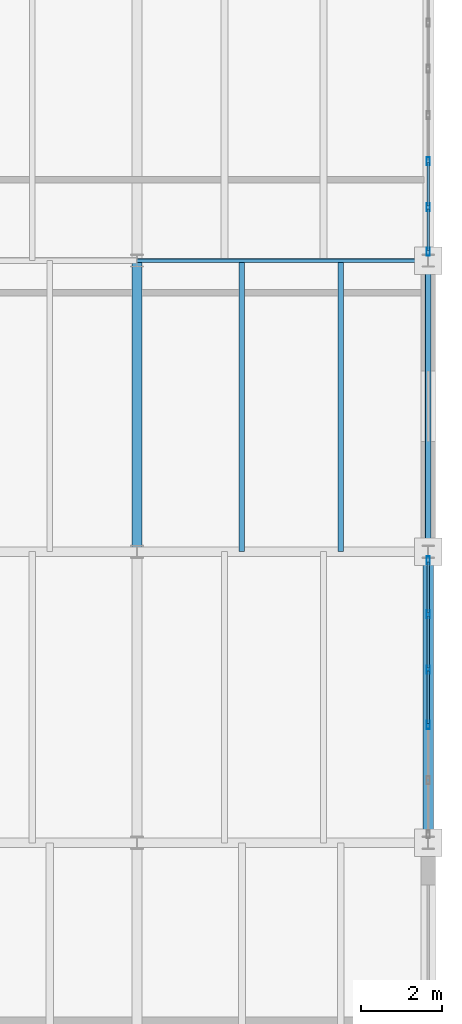
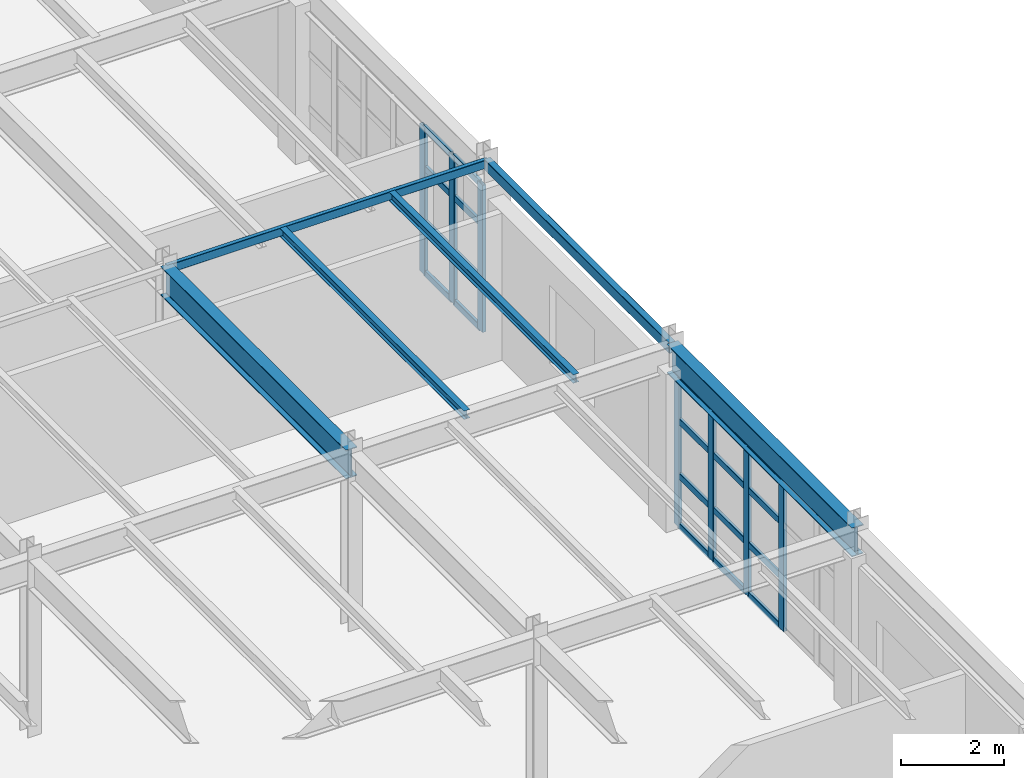
# One storey, part 97 of 137: 27 members, 6 beams, 2 elements without a shape of their own.
"""IFC4 building model written with IfcOpenShell, lengths in metres."""

from ifc_helpers import new_model, si_unit, direction, frame, origin, origin_2d, place, context, subcontext, project, spatial, hollow_rectangle, i_section, extrude, material, layer, layer_set, material_profile, profile_set, type_object, element, aggregate, save


model = new_model("IFC4")

# Units and contexts
model_context = context("Model", 3, precision=1e-05, world=origin(), true_north=direction((0.0, 1.0)))
body_context = subcontext(model_context, "Body", "Model", "MODEL_VIEW")
ifc_project = project(units=[si_unit("LENGTHUNIT", "METRE"), si_unit("AREAUNIT", "SQUARE_METRE"), si_unit("VOLUMEUNIT", "CUBIC_METRE"), si_unit("PLANEANGLEUNIT", "RADIAN"), si_unit("MASSUNIT", "GRAM", prefix="KILO")], contexts=[model_context])

# Site, building, storey
site_placement = place(None, origin())
site = spatial("IfcSite", under=ifc_project, at=site_placement, CompositionType="ELEMENT")
building_placement = place(site_placement, origin())
building = spatial("IfcBuilding", under=site, at=building_placement, Name="Kemerveld Promenade Tramway Depot", CompositionType="ELEMENT")
storey_placement = place(building_placement, frame((0.0, 0.0, 5.39990234375)))
storey = spatial("IfcBuildingStorey", under=building, at=storey_placement, Name="L01", CompositionType="ELEMENT", Elevation=5.39990234375)

# Beams
ifc_material_1 = material(Name="Steel S355", Category="steel")
ifc_material_profile_1 = material_profile(ifc_material_1, i_section(OverallWidth=0.25439453125, OverallDepth=0.6875, WebThickness=0.01318359375, FlangeThickness=0.02099609375, FilletRadius=0.01513671875, at=origin_2d()), Name="686x254x152 UB")
ifc_profile_set_1 = profile_set([ifc_material_profile_1], Name="Steel S355")
beam_type_1 = type_object("IfcBeamType", Name="BM-G03", PredefinedType="BEAM", material=ifc_profile_set_1)
beam_1_placement = place(storey_placement, frame((208.800048828125, 21.60009765625, 3.856201171875), z_axis=(0.0, 1.0, 0.0), x_axis=(-1.0, 0.0, 0.0)))
element("IfcBeam", 1, at=beam_1_placement, inside=storey, type_object=beam_type_1, Name="BMY-L01-30-D-E", PredefinedType="BEAM", context=body_context, shape_type="SweptSolid", body=[
    extrude(i_section(OverallWidth=0.25439453125, OverallDepth=0.6875, WebThickness=0.01318359375, FlangeThickness=0.02099609375, FilletRadius=0.01513671875, at=origin_2d()), origin(), (0.0, 0.0, 1.0), 7.199951171875),
])
beam_2_placement = place(storey_placement, frame((216.0, 14.39990234375, 3.856201171875), z_axis=(0.0, 1.0, 0.0), x_axis=(-1.0, 0.0, 0.0)))
element("IfcBeam", 2, at=beam_2_placement, inside=storey, type_object=beam_type_1, Name="BMY-L01-31-C-D", PredefinedType="BEAM", context=body_context, shape_type="SweptSolid", body=[
    extrude(i_section(OverallWidth=0.25439453125, OverallDepth=0.6875, WebThickness=0.01318359375, FlangeThickness=0.02099609375, FilletRadius=0.01513671875, at=origin_2d()), origin(), (0.0, 0.0, 1.0), 7.2001953125),
])
ifc_material_profile_2 = material_profile(ifc_material_1, i_section(OverallWidth=0.13330078125, OverallDepth=0.203125, WebThickness=0.005615234375, FlangeThickness=0.0078125, FilletRadius=0.007568359375, at=origin_2d()), Name="203x133x25 UB")
ifc_profile_set_2 = profile_set([ifc_material_profile_2], Name="Steel S355")
beam_type_2 = type_object("IfcBeamType", Name="BM-J03", PredefinedType="JOIST", material=ifc_profile_set_2)
for number, where, z_axis, x_axis, name in (
    (3, (211.39208984375, 21.60009765625, 4.098388671875), (0.0, 1.0, 0.0), (-1.0, 0.0, 0.0), "JST-L01-30-D-1"),
    (4, (213.840087890625, 21.60009765625, 4.098388671875), (0.0, 1.0, 0.0), (-1.0, 0.0, 0.0), "JST-L01-30-D-2"),
):
    element("IfcBeam", number, at=place(storey_placement, frame(where, z_axis=z_axis, x_axis=x_axis)), inside=storey, type_object=beam_type_2, Name=name, PredefinedType="JOIST", context=body_context, shape_type="SweptSolid", body=[
        extrude(i_section(OverallWidth=0.13330078125, OverallDepth=0.203125, WebThickness=0.005615234375, FlangeThickness=0.0078125, FilletRadius=0.007568359375, at=origin_2d()), origin(), (0.0, 0.0, 1.0), 7.199951171875),
    ])
ifc_material_profile_3 = material_profile(ifc_material_1, hollow_rectangle(XDim=0.10009765625, YDim=0.199951171875, WallThickness=0.008056640625, InnerFilletRadius=0.00390625, OuterFilletRadius=0.011962890625, at=origin_2d()), Name="200x100x8.0 RHS")
ifc_profile_set_3 = profile_set([ifc_material_profile_3], Name="Steel S355")
beam_type_3 = type_object("IfcBeamType", Name="BM-LN1", PredefinedType="LINTEL", material=ifc_profile_set_3)
beam_3_placement = place(storey_placement, frame((208.800048828125, 28.800048828125, 4.10009765625), z_axis=(1.0, 0.0, 0.0), x_axis=(0.0, 1.0, 0.0)))
element("IfcBeam", 5, at=beam_3_placement, inside=storey, type_object=beam_type_3, Name="BMX-L01-30-31-E", PredefinedType="LINTEL", context=body_context, shape_type="SweptSolid", body=[
    extrude(hollow_rectangle(XDim=0.10009765625, YDim=0.199951171875, WallThickness=0.008056640625, InnerFilletRadius=0.00390625, OuterFilletRadius=0.011962890625, at=origin_2d()), origin(), (0.0, 0.0, 1.0), 7.199951171875),
])
ifc_material_profile_4 = material_profile(ifc_material_1, hollow_rectangle(XDim=0.14990234375, YDim=0.25, WallThickness=0.010009765625, InnerFilletRadius=0.0048828125, OuterFilletRadius=0.014892578125, at=origin_2d()), Name="250x150x10.0 RHS")
ifc_profile_set_4 = profile_set([ifc_material_profile_4], Name="Steel S355")
beam_type_4 = type_object("IfcBeamType", Name="BM-SP2", PredefinedType="SPANDREL", material=ifc_profile_set_4)
beam_4_placement = place(storey_placement, frame((216.0, 21.60009765625, 4.0751953125), z_axis=(0.0, 1.0, 0.0), x_axis=(-1.0, 0.0, 0.0)))
element("IfcBeam", 6, at=beam_4_placement, inside=storey, type_object=beam_type_4, Name="BMY-L01-31-D-E", PredefinedType="SPANDREL", context=body_context, shape_type="SweptSolid", body=[
    extrude(hollow_rectangle(XDim=0.14990234375, YDim=0.25, WallThickness=0.010009765625, InnerFilletRadius=0.0048828125, OuterFilletRadius=0.014892578125, at=origin_2d()), origin(), (0.0, 0.0, 1.0), 7.199951171875),
])

# Curtain wall, members
ifc_material_2 = material(Name="Bronze anodised aluminium and solar glass", Category="aluminium")
ifc_layer_1 = layer(ifc_material_2, 0.199951171875)
ifc_layer_set_1 = layer_set([ifc_layer_1], Name="CW-SYS-06")
curtain_wall_type_1 = type_object("IfcCurtainWallType", Name="CW-SYS-06", PredefinedType="USERDEFINED", material=ifc_layer_set_1)
curtain_wall_1_placement = place(storey_placement, origin())
curtain_wall_1 = element("IfcCurtainWall", 7, at=curtain_wall_1_placement, inside=storey, type_object=curtain_wall_type_1, Name="CW-L01-V2E-03", ObjectType="GLAZED_CURTAIN_WALL", PredefinedType="USERDEFINED")
ifc_material_3 = material(Name="Bronze anodised aluminium", Category="aluminium")
ifc_material_profile_5 = material_profile(ifc_material_3, hollow_rectangle(XDim=0.074951171875, YDim=0.199951171875, WallThickness=0.0048828125, InnerFilletRadius=0.001953125, OuterFilletRadius=0.0048828125, at=origin_2d()), Name="CW-MUL-200x75")
ifc_profile_set_5 = profile_set([ifc_material_profile_5], Name="Bronze anodised aluminium")
member_type_1 = type_object("IfcMemberType", Name="CW-MUL-B", PredefinedType="MULLION", material=ifc_profile_set_5)
member_1_placement = place(storey_placement, frame((216.0, 31.259033203125, 0.0), z_axis=(0.0, 0.0, 1.0), x_axis=(1.0, 0.0, 0.0)))
member_1 = element("IfcMember", 8, at=member_1_placement, type_object=member_type_1, Name="CW06 mullion 5", PredefinedType="MULLION", context=body_context, shape_type="SweptSolid", body=[
    extrude(hollow_rectangle(XDim=0.074951171875, YDim=0.199951171875, WallThickness=0.0048828125, InnerFilletRadius=0.001953125, OuterFilletRadius=0.0048828125, at=origin_2d()), origin(), (0.0, 0.0, 1.0), 3.49267578125),
])
member_2_placement = place(storey_placement, frame((216.0, 30.1181640625, 0.0), z_axis=(0.0, 0.0, 1.0), x_axis=(1.0, 0.0, 0.0)))
member_2 = element("IfcMember", 9, at=member_2_placement, type_object=member_type_1, Name="CW06 mullion 6", PredefinedType="MULLION", context=body_context, shape_type="SweptSolid", body=[
    extrude(hollow_rectangle(XDim=0.074951171875, YDim=0.199951171875, WallThickness=0.0048828125, InnerFilletRadius=0.001953125, OuterFilletRadius=0.0048828125, at=origin_2d()), origin(), (0.0, 0.0, 1.0), 3.49267578125),
])
member_3_placement = place(storey_placement, frame((216.0, 29.014892578125, 0.0), z_axis=(0.0, 0.0, 1.0), x_axis=(1.0, 0.0, 0.0)))
member_3 = element("IfcMember", 10, at=member_3_placement, type_object=member_type_1, Name="CW06 mullion 7", PredefinedType="MULLION", context=body_context, shape_type="SweptSolid", body=[
    extrude(hollow_rectangle(XDim=0.074951171875, YDim=0.199951171875, WallThickness=0.0048828125, InnerFilletRadius=0.001953125, OuterFilletRadius=0.0048828125, at=origin_2d()), origin(), (0.0, 0.0, 1.0), 3.49267578125),
])

ifc_layer_2 = layer(ifc_material_2, 0.199951171875)
ifc_layer_set_2 = layer_set([ifc_layer_2], Name="CW-SYS-08")
curtain_wall_type_2 = type_object("IfcCurtainWallType", Name="CW-SYS-08", PredefinedType="USERDEFINED", material=ifc_layer_set_2)
curtain_wall_2_placement = place(storey_placement, origin())
curtain_wall_2 = element("IfcCurtainWall", 11, at=curtain_wall_2_placement, inside=storey, type_object=curtain_wall_type_2, Name="CW-L01-V2E-05", ObjectType="GLAZED_CURTAIN_WALL", PredefinedType="USERDEFINED")
member_4_placement = place(storey_placement, frame((216.0, 21.38525390625, 0.0), z_axis=(0.0, 0.0, 1.0), x_axis=(1.0, 0.0, 0.0)))
member_4 = element("IfcMember", 12, at=member_4_placement, type_object=member_type_1, Name="CW08 mullion 1", PredefinedType="MULLION", context=body_context, shape_type="SweptSolid", body=[
    extrude(hollow_rectangle(XDim=0.074951171875, YDim=0.199951171875, WallThickness=0.0048828125, InnerFilletRadius=0.001953125, OuterFilletRadius=0.0048828125, at=origin_2d()), origin(), (0.0, 0.0, 1.0), 3.49267578125),
])
member_5_placement = place(storey_placement, frame((216.0, 20.0537109375, 0.0), z_axis=(0.0, 0.0, 1.0), x_axis=(1.0, 0.0, 0.0)))
member_5 = element("IfcMember", 13, at=member_5_placement, type_object=member_type_1, Name="CW08 mullion 2", PredefinedType="MULLION", context=body_context, shape_type="SweptSolid", body=[
    extrude(hollow_rectangle(XDim=0.074951171875, YDim=0.199951171875, WallThickness=0.0048828125, InnerFilletRadius=0.001953125, OuterFilletRadius=0.0048828125, at=origin_2d()), origin(), (0.0, 0.0, 1.0), 3.49267578125),
])
member_6_placement = place(storey_placement, frame((216.0, 18.6845703125, 0.0), z_axis=(0.0, 0.0, 1.0), x_axis=(1.0, 0.0, 0.0)))
member_6 = element("IfcMember", 14, at=member_6_placement, type_object=member_type_1, Name="CW08 mullion 3", PredefinedType="MULLION", context=body_context, shape_type="SweptSolid", body=[
    extrude(hollow_rectangle(XDim=0.074951171875, YDim=0.199951171875, WallThickness=0.0048828125, InnerFilletRadius=0.001953125, OuterFilletRadius=0.0048828125, at=origin_2d()), origin(), (0.0, 0.0, 1.0), 3.49267578125),
])
member_7_placement = place(storey_placement, frame((216.0, 17.3154296875, 0.0), z_axis=(0.0, 0.0, 1.0), x_axis=(1.0, 0.0, 0.0)))
member_7 = element("IfcMember", 15, at=member_7_placement, type_object=member_type_1, Name="CW08 mullion 4", PredefinedType="MULLION", context=body_context, shape_type="SweptSolid", body=[
    extrude(hollow_rectangle(XDim=0.074951171875, YDim=0.199951171875, WallThickness=0.0048828125, InnerFilletRadius=0.001953125, OuterFilletRadius=0.0048828125, at=origin_2d()), origin(), (0.0, 0.0, 1.0), 3.49267578125),
])

# Member
ifc_material_profile_6 = material_profile(ifc_material_3, hollow_rectangle(XDim=0.06494140625, YDim=0.14990234375, WallThickness=0.00439453125, InnerFilletRadius=0.001953125, OuterFilletRadius=0.00439453125, at=origin_2d()), Name="CW-TRN-150x65")
ifc_profile_set_6 = profile_set([ifc_material_profile_6], Name="Bronze anodised aluminium")
member_type_2 = type_object("IfcMemberType", Name="CW-TRN-B", PredefinedType="USERDEFINED", material=ifc_profile_set_6)
member_8_placement = place(storey_placement, frame((216.0, 31.2216796875, 0.03271484375), z_axis=(0.0, -1.0, 0.0), x_axis=(1.0, 0.0, 0.0)))
member_8 = element("IfcMember", 16, at=member_8_placement, type_object=member_type_2, Name="CW06 transom 5.1", ObjectType="TRANSOM", PredefinedType="USERDEFINED", context=body_context, shape_type="SweptSolid", body=[
    extrude(hollow_rectangle(XDim=0.06494140625, YDim=0.14990234375, WallThickness=0.00439453125, InnerFilletRadius=0.001953125, OuterFilletRadius=0.00439453125, at=origin_2d()), origin(), (0.0, 0.0, 1.0), 1.06591796875),
])

member_9_placement = place(storey_placement, frame((216.0, 31.2216796875, 1.22216796875), z_axis=(0.0, -1.0, 0.0), x_axis=(1.0, 0.0, 0.0)))
member_9 = element("IfcMember", 17, at=member_9_placement, type_object=member_type_2, Name="CW06 transom 5.2", ObjectType="TRANSOM", PredefinedType="USERDEFINED", context=body_context, shape_type="SweptSolid", body=[
    extrude(hollow_rectangle(XDim=0.06494140625, YDim=0.14990234375, WallThickness=0.00439453125, InnerFilletRadius=0.001953125, OuterFilletRadius=0.00439453125, at=origin_2d()), origin(), (0.0, 0.0, 1.0), 1.06591796875),
])

member_10_placement = place(storey_placement, frame((216.0, 31.2216796875, 2.51513671875), z_axis=(0.0, -1.0, 0.0), x_axis=(1.0, 0.0, 0.0)))
member_10 = element("IfcMember", 18, at=member_10_placement, type_object=member_type_2, Name="CW06 transom 5.3", ObjectType="TRANSOM", PredefinedType="USERDEFINED", context=body_context, shape_type="SweptSolid", body=[
    extrude(hollow_rectangle(XDim=0.06494140625, YDim=0.14990234375, WallThickness=0.00439453125, InnerFilletRadius=0.001953125, OuterFilletRadius=0.00439453125, at=origin_2d()), origin(), (0.0, 0.0, 1.0), 1.06591796875),
])

member_11_placement = place(storey_placement, frame((216.0, 31.2216796875, 3.460205078125), z_axis=(0.0, -1.0, 0.0), x_axis=(1.0, 0.0, 0.0)))
member_11 = element("IfcMember", 19, at=member_11_placement, type_object=member_type_2, Name="CW06 transom 5.4", ObjectType="TRANSOM", PredefinedType="USERDEFINED", context=body_context, shape_type="SweptSolid", body=[
    extrude(hollow_rectangle(XDim=0.06494140625, YDim=0.14990234375, WallThickness=0.00439453125, InnerFilletRadius=0.001953125, OuterFilletRadius=0.00439453125, at=origin_2d()), origin(), (0.0, 0.0, 1.0), 1.06591796875),
])

member_12_placement = place(storey_placement, frame((216.0, 30.080810546875, 0.03271484375), z_axis=(0.0, -1.0, 0.0), x_axis=(1.0, 0.0, 0.0)))
member_12 = element("IfcMember", 20, at=member_12_placement, type_object=member_type_2, Name="CW06 transom 6.1", ObjectType="TRANSOM", PredefinedType="USERDEFINED", context=body_context, shape_type="SweptSolid", body=[
    extrude(hollow_rectangle(XDim=0.06494140625, YDim=0.14990234375, WallThickness=0.00439453125, InnerFilletRadius=0.001953125, OuterFilletRadius=0.00439453125, at=origin_2d()), origin(), (0.0, 0.0, 1.0), 1.028564453125),
])

member_13_placement = place(storey_placement, frame((216.0, 30.080810546875, 1.22216796875), z_axis=(0.0, -1.0, 0.0), x_axis=(1.0, 0.0, 0.0)))
member_13 = element("IfcMember", 21, at=member_13_placement, type_object=member_type_2, Name="CW06 transom 6.2", ObjectType="TRANSOM", PredefinedType="USERDEFINED", context=body_context, shape_type="SweptSolid", body=[
    extrude(hollow_rectangle(XDim=0.06494140625, YDim=0.14990234375, WallThickness=0.00439453125, InnerFilletRadius=0.001953125, OuterFilletRadius=0.00439453125, at=origin_2d()), origin(), (0.0, 0.0, 1.0), 1.028564453125),
])

member_14_placement = place(storey_placement, frame((216.0, 30.080810546875, 2.51513671875), z_axis=(0.0, -1.0, 0.0), x_axis=(1.0, 0.0, 0.0)))
member_14 = element("IfcMember", 22, at=member_14_placement, type_object=member_type_2, Name="CW06 transom 6.3", ObjectType="TRANSOM", PredefinedType="USERDEFINED", context=body_context, shape_type="SweptSolid", body=[
    extrude(hollow_rectangle(XDim=0.06494140625, YDim=0.14990234375, WallThickness=0.00439453125, InnerFilletRadius=0.001953125, OuterFilletRadius=0.00439453125, at=origin_2d()), origin(), (0.0, 0.0, 1.0), 1.028564453125),
])

member_15_placement = place(storey_placement, frame((216.0, 30.080810546875, 3.460205078125), z_axis=(0.0, -1.0, 0.0), x_axis=(1.0, 0.0, 0.0)))
member_15 = element("IfcMember", 23, at=member_15_placement, type_object=member_type_2, Name="CW06 transom 6.4", ObjectType="TRANSOM", PredefinedType="USERDEFINED", context=body_context, shape_type="SweptSolid", body=[
    extrude(hollow_rectangle(XDim=0.06494140625, YDim=0.14990234375, WallThickness=0.00439453125, InnerFilletRadius=0.001953125, OuterFilletRadius=0.00439453125, at=origin_2d()), origin(), (0.0, 0.0, 1.0), 1.028564453125),
])

aggregate(curtain_wall_1, [member_1, member_2, member_3, member_8, member_9, member_10, member_11, member_12, member_13, member_14, member_15])

member_16_placement = place(storey_placement, frame((216.0, 21.347900390625, 0.03271484375), z_axis=(0.0, -1.0, 0.0), x_axis=(1.0, 0.0, 0.0)))
member_16 = element("IfcMember", 24, at=member_16_placement, type_object=member_type_2, Name="CW08 transom 1.1", ObjectType="TRANSOM", PredefinedType="USERDEFINED", context=body_context, shape_type="SweptSolid", body=[
    extrude(hollow_rectangle(XDim=0.06494140625, YDim=0.14990234375, WallThickness=0.00439453125, InnerFilletRadius=0.001953125, OuterFilletRadius=0.00439453125, at=origin_2d()), origin(), (0.0, 0.0, 1.0), 1.256591796875),
])

member_17_placement = place(storey_placement, frame((216.0, 21.347900390625, 1.22216796875), z_axis=(0.0, -1.0, 0.0), x_axis=(1.0, 0.0, 0.0)))
member_17 = element("IfcMember", 25, at=member_17_placement, type_object=member_type_2, Name="CW08 transom 1.2", ObjectType="TRANSOM", PredefinedType="USERDEFINED", context=body_context, shape_type="SweptSolid", body=[
    extrude(hollow_rectangle(XDim=0.06494140625, YDim=0.14990234375, WallThickness=0.00439453125, InnerFilletRadius=0.001953125, OuterFilletRadius=0.00439453125, at=origin_2d()), origin(), (0.0, 0.0, 1.0), 1.256591796875),
])

member_18_placement = place(storey_placement, frame((216.0, 21.347900390625, 2.51513671875), z_axis=(0.0, -1.0, 0.0), x_axis=(1.0, 0.0, 0.0)))
member_18 = element("IfcMember", 26, at=member_18_placement, type_object=member_type_2, Name="CW08 transom 1.3", ObjectType="TRANSOM", PredefinedType="USERDEFINED", context=body_context, shape_type="SweptSolid", body=[
    extrude(hollow_rectangle(XDim=0.06494140625, YDim=0.14990234375, WallThickness=0.00439453125, InnerFilletRadius=0.001953125, OuterFilletRadius=0.00439453125, at=origin_2d()), origin(), (0.0, 0.0, 1.0), 1.256591796875),
])

member_19_placement = place(storey_placement, frame((216.0, 21.347900390625, 3.460205078125), z_axis=(0.0, -1.0, 0.0), x_axis=(1.0, 0.0, 0.0)))
member_19 = element("IfcMember", 27, at=member_19_placement, type_object=member_type_2, Name="CW08 transom 1.4", ObjectType="TRANSOM", PredefinedType="USERDEFINED", context=body_context, shape_type="SweptSolid", body=[
    extrude(hollow_rectangle(XDim=0.06494140625, YDim=0.14990234375, WallThickness=0.00439453125, InnerFilletRadius=0.001953125, OuterFilletRadius=0.00439453125, at=origin_2d()), origin(), (0.0, 0.0, 1.0), 1.256591796875),
])

member_20_placement = place(storey_placement, frame((216.0, 20.01611328125, 0.03271484375), z_axis=(0.0, -1.0, 0.0), x_axis=(1.0, 0.0, 0.0)))
member_20 = element("IfcMember", 28, at=member_20_placement, type_object=member_type_2, Name="CW08 transom 2.1", ObjectType="TRANSOM", PredefinedType="USERDEFINED", context=body_context, shape_type="SweptSolid", body=[
    extrude(hollow_rectangle(XDim=0.06494140625, YDim=0.14990234375, WallThickness=0.00439453125, InnerFilletRadius=0.001953125, OuterFilletRadius=0.00439453125, at=origin_2d()), origin(), (0.0, 0.0, 1.0), 1.2939453125),
])

member_21_placement = place(storey_placement, frame((216.0, 20.01611328125, 1.22216796875), z_axis=(0.0, -1.0, 0.0), x_axis=(1.0, 0.0, 0.0)))
member_21 = element("IfcMember", 29, at=member_21_placement, type_object=member_type_2, Name="CW08 transom 2.2", ObjectType="TRANSOM", PredefinedType="USERDEFINED", context=body_context, shape_type="SweptSolid", body=[
    extrude(hollow_rectangle(XDim=0.06494140625, YDim=0.14990234375, WallThickness=0.00439453125, InnerFilletRadius=0.001953125, OuterFilletRadius=0.00439453125, at=origin_2d()), origin(), (0.0, 0.0, 1.0), 1.2939453125),
])

member_22_placement = place(storey_placement, frame((216.0, 20.01611328125, 2.51513671875), z_axis=(0.0, -1.0, 0.0), x_axis=(1.0, 0.0, 0.0)))
member_22 = element("IfcMember", 30, at=member_22_placement, type_object=member_type_2, Name="CW08 transom 2.3", ObjectType="TRANSOM", PredefinedType="USERDEFINED", context=body_context, shape_type="SweptSolid", body=[
    extrude(hollow_rectangle(XDim=0.06494140625, YDim=0.14990234375, WallThickness=0.00439453125, InnerFilletRadius=0.001953125, OuterFilletRadius=0.00439453125, at=origin_2d()), origin(), (0.0, 0.0, 1.0), 1.2939453125),
])

member_23_placement = place(storey_placement, frame((216.0, 20.01611328125, 3.460205078125), z_axis=(0.0, -1.0, 0.0), x_axis=(1.0, 0.0, 0.0)))
member_23 = element("IfcMember", 31, at=member_23_placement, type_object=member_type_2, Name="CW08 transom 2.4", ObjectType="TRANSOM", PredefinedType="USERDEFINED", context=body_context, shape_type="SweptSolid", body=[
    extrude(hollow_rectangle(XDim=0.06494140625, YDim=0.14990234375, WallThickness=0.00439453125, InnerFilletRadius=0.001953125, OuterFilletRadius=0.00439453125, at=origin_2d()), origin(), (0.0, 0.0, 1.0), 1.2939453125),
])

member_24_placement = place(storey_placement, frame((216.0, 18.647216796875, 0.03271484375), z_axis=(0.0, -1.0, 0.0), x_axis=(1.0, 0.0, 0.0)))
member_24 = element("IfcMember", 32, at=member_24_placement, type_object=member_type_2, Name="CW08 transom 3.1", ObjectType="TRANSOM", PredefinedType="USERDEFINED", context=body_context, shape_type="SweptSolid", body=[
    extrude(hollow_rectangle(XDim=0.06494140625, YDim=0.14990234375, WallThickness=0.00439453125, InnerFilletRadius=0.001953125, OuterFilletRadius=0.00439453125, at=origin_2d()), origin(), (0.0, 0.0, 1.0), 1.294189453125),
])

member_25_placement = place(storey_placement, frame((216.0, 18.647216796875, 1.22216796875), z_axis=(0.0, -1.0, 0.0), x_axis=(1.0, 0.0, 0.0)))
member_25 = element("IfcMember", 33, at=member_25_placement, type_object=member_type_2, Name="CW08 transom 3.2", ObjectType="TRANSOM", PredefinedType="USERDEFINED", context=body_context, shape_type="SweptSolid", body=[
    extrude(hollow_rectangle(XDim=0.06494140625, YDim=0.14990234375, WallThickness=0.00439453125, InnerFilletRadius=0.001953125, OuterFilletRadius=0.00439453125, at=origin_2d()), origin(), (0.0, 0.0, 1.0), 1.294189453125),
])

member_26_placement = place(storey_placement, frame((216.0, 18.647216796875, 2.51513671875), z_axis=(0.0, -1.0, 0.0), x_axis=(1.0, 0.0, 0.0)))
member_26 = element("IfcMember", 34, at=member_26_placement, type_object=member_type_2, Name="CW08 transom 3.3", ObjectType="TRANSOM", PredefinedType="USERDEFINED", context=body_context, shape_type="SweptSolid", body=[
    extrude(hollow_rectangle(XDim=0.06494140625, YDim=0.14990234375, WallThickness=0.00439453125, InnerFilletRadius=0.001953125, OuterFilletRadius=0.00439453125, at=origin_2d()), origin(), (0.0, 0.0, 1.0), 1.294189453125),
])

member_27_placement = place(storey_placement, frame((216.0, 18.647216796875, 3.460205078125), z_axis=(0.0, -1.0, 0.0), x_axis=(1.0, 0.0, 0.0)))
member_27 = element("IfcMember", 35, at=member_27_placement, type_object=member_type_2, Name="CW08 transom 3.4", ObjectType="TRANSOM", PredefinedType="USERDEFINED", context=body_context, shape_type="SweptSolid", body=[
    extrude(hollow_rectangle(XDim=0.06494140625, YDim=0.14990234375, WallThickness=0.00439453125, InnerFilletRadius=0.001953125, OuterFilletRadius=0.00439453125, at=origin_2d()), origin(), (0.0, 0.0, 1.0), 1.294189453125),
])

aggregate(curtain_wall_2, [member_4, member_5, member_6, member_7, member_16, member_17, member_18, member_19, member_20, member_21, member_22, member_23, member_24, member_25, member_26, member_27])

save(model, "model.ifc")
